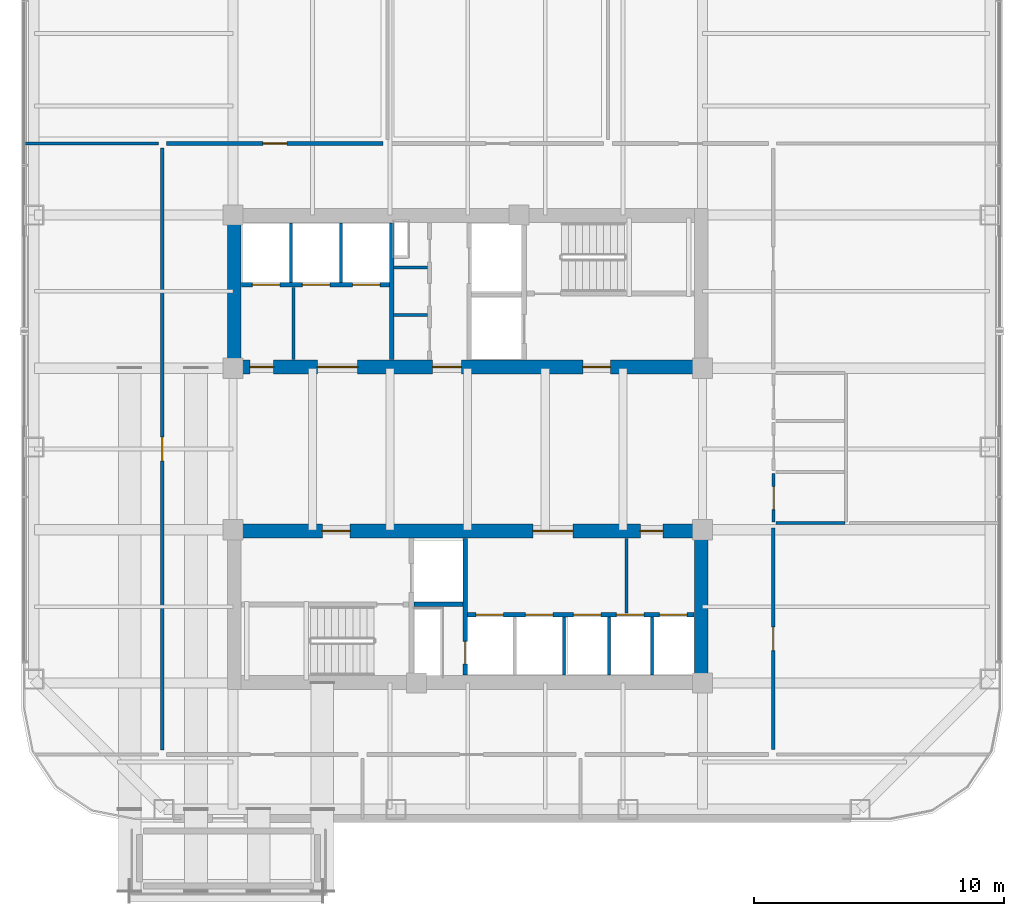
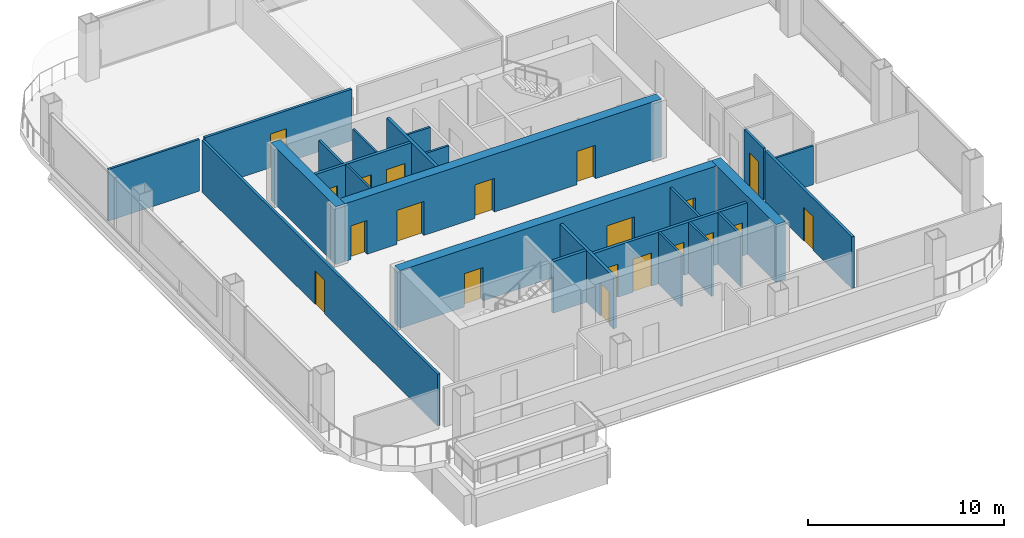
# One storey, part 16 of 20: 24 walls, 20 doors, 20 openings.
"""IFC4 building model written with IfcOpenShell, lengths in metres."""

from ifc_helpers import new_model, si_unit, direction, frame, frame_2d, origin, place, context, subcontext, project, spatial, rectangle, extrude, material, layer, layer_set, type_object, element, fill, save


model = new_model("IFC4")

# Units and contexts
model_context = context("Model", 3, precision=1e-05, world=origin(), true_north=direction((0.0, 1.0)))
body_context = subcontext(model_context, "Body", "Model", "MODEL_VIEW")
ifc_project = project(units=[si_unit("LENGTHUNIT", "METRE"), si_unit("AREAUNIT", "SQUARE_METRE"), si_unit("VOLUMEUNIT", "CUBIC_METRE"), si_unit("PLANEANGLEUNIT", "RADIAN"), si_unit("MASSUNIT", "GRAM", prefix="KILO")], contexts=[model_context])

# Site, building, storey
site_placement = place(None, origin())
site = spatial("IfcSite", under=ifc_project, at=site_placement, CompositionType="ELEMENT")
building_placement = place(site_placement, origin())
building = spatial("IfcBuilding", under=site, at=building_placement, Name="Qhalaya Broadcast Tower", CompositionType="ELEMENT")
storey_placement = place(building_placement, frame((0.0, 0.0, 104.85009765625)))
storey = spatial("IfcBuildingStorey", under=building, at=storey_placement, Name="L30", CompositionType="ELEMENT", Elevation=104.85009765625)

# Wall, opening, door
ifc_material_1 = material(Name="Gypsum Acoustic Partition")
ifc_layer_1 = layer(ifc_material_1, 0.14990234375, Name="Gypsum Acoustic Partition")
ifc_layer_set_1 = layer_set([ifc_layer_1], Name="Gypsum Acoustic Partition")
wall_type_1 = type_object("IfcWallType", Name="Corridor & Tenancy Acoustic Partition 150", PredefinedType="PARTITIONING", material=ifc_layer_set_1)
wall_1_placement = place(storey_placement, frame((-12.02001953125, 12.800048828125, 0.0), z_axis=(0.0, 0.0, 1.0), x_axis=(1.0, 0.0, 0.0)))
wall_1 = element("IfcWall", 1, at=wall_1_placement, inside=storey, type_object=wall_type_1, Name="L30 Partition Wall W-COR-01", PredefinedType="PARTITIONING", context=body_context, shape_type="SweptSolid", body=[
    extrude(rectangle(XDim=8.64013671875, YDim=0.14990234375, at=frame_2d((4.320068359375, 0.0))), origin(), (0.0, 0.0, 1.0), 3.219970703125),
])
opening_1_placement = place(wall_1_placement, frame((3.844970703125, 0.0, 0.0)))
opening_1 = element("IfcOpeningElement", 2, at=opening_1_placement, cuts=wall_1, Name="Opening D10", PredefinedType="OPENING", context=body_context, shape_type="SweptSolid", body=[
    extrude(rectangle(XDim=0.949951171875, YDim=2.10009765625, at=frame_2d((0.47509765625, 1.050048828125))), frame((0.0, 0.0869140625, 0.0), z_axis=(0.0, -1.0, 0.0), x_axis=(1.0, 0.0, 0.0)), (0.0, 0.0, 1.0), 0.173828125),
])
ifc_material_2 = material(Name="Timber Veneer Acoustic Door", Category="wood")
door_type_1 = type_object("IfcDoorType", Name="Cellular Office & Edit Booth Door D10", OperationType="NOTDEFINED", PredefinedType="DOOR", material=ifc_material_2)
door_1_placement = place(opening_1_placement, origin())
door_1 = element("IfcDoor", 3, at=door_1_placement, inside=storey, type_object=door_type_1, Name="L30 Door D-RM01", OperationType="SINGLE_SWING_RIGHT", OverallHeight=2.10009765625, OverallWidth=0.949951171875, PredefinedType="DOOR", context=body_context, shape_type="SweptSolid", body=[
    extrude(rectangle(XDim=0.949951171875, YDim=2.10009765625, at=frame_2d((0.47509765625, 1.050048828125))), frame((0.0, 0.02490234375, 0.0), z_axis=(0.0, -1.0, 0.0), x_axis=(1.0, 0.0, 0.0)), (0.0, 0.0, 1.0), 0.050048828125),
])
fill(opening_1, door_1)

wall_2_placement = place(storey_placement, frame((-12.199951171875, -11.419921875, 0.0), z_axis=(0.0, 0.0, 1.0), x_axis=(0.0, 1.0, 0.0)))
wall_2 = element("IfcWall", 4, at=wall_2_placement, inside=storey, type_object=wall_type_1, Name="L30 Partition Wall W-COR-07", PredefinedType="PARTITIONING", context=body_context, shape_type="SweptSolid", body=[
    extrude(rectangle(XDim=24.0400390625, YDim=0.14990234375, at=frame_2d((12.02001953125, 0.0))), origin(), (0.0, 0.0, 1.0), 3.219970703125),
])
opening_2_placement = place(wall_2_placement, frame((11.544921875, 0.0, 0.0)))
opening_2 = element("IfcOpeningElement", 5, at=opening_2_placement, cuts=wall_2, Name="Opening D10", PredefinedType="OPENING", context=body_context, shape_type="SweptSolid", body=[
    extrude(rectangle(XDim=0.949951171875, YDim=2.10009765625, at=frame_2d((0.47509765625, 1.050048828125))), frame((0.0, 0.0869140625, 0.0), z_axis=(0.0, -1.0, 0.0), x_axis=(1.0, 0.0, 0.0)), (0.0, 0.0, 1.0), 0.173828125),
])
door_2_placement = place(opening_2_placement, origin())
door_2 = element("IfcDoor", 6, at=door_2_placement, inside=storey, type_object=door_type_1, Name="L30 Door D-RM07", OperationType="SINGLE_SWING_RIGHT", OverallHeight=2.10009765625, OverallWidth=0.949951171875, PredefinedType="DOOR", context=body_context, shape_type="SweptSolid", body=[
    extrude(rectangle(XDim=0.949951171875, YDim=2.10009765625, at=frame_2d((0.47509765625, 1.050048828125))), frame((0.0, 0.02490234375, 0.0), z_axis=(0.0, -1.0, 0.0), x_axis=(1.0, 0.0, 0.0)), (0.0, 0.0, 1.0), 0.050048828125),
])
fill(opening_2, door_2)

wall_3_placement = place(storey_placement, frame((12.199951171875, -11.39990234375, 0.0), z_axis=(0.0, 0.0, 1.0), x_axis=(0.0, 1.0, 0.0)))
wall_3 = element("IfcWall", 7, at=wall_3_placement, inside=storey, type_object=wall_type_1, Name="L30 Partition Wall W-COR-08", PredefinedType="PARTITIONING", context=body_context, shape_type="SweptSolid", body=[
    extrude(rectangle(XDim=8.83984375, YDim=0.14990234375, at=frame_2d((4.419921875, 0.0))), origin(), (0.0, 0.0, 1.0), 3.219970703125),
])
opening_3_placement = place(wall_3_placement, frame((3.945068359375, 0.0, 0.0)))
opening_3 = element("IfcOpeningElement", 8, at=opening_3_placement, cuts=wall_3, Name="Opening D10", PredefinedType="OPENING", context=body_context, shape_type="SweptSolid", body=[
    extrude(rectangle(XDim=0.949951171875, YDim=2.10009765625, at=frame_2d((0.47509765625, 1.050048828125))), frame((0.0, 0.0869140625, 0.0), z_axis=(0.0, -1.0, 0.0), x_axis=(1.0, 0.0, 0.0)), (0.0, 0.0, 1.0), 0.173828125),
])
door_3_placement = place(opening_3_placement, origin())
door_3 = element("IfcDoor", 9, at=door_3_placement, inside=storey, type_object=door_type_1, Name="L30 Door D-RM08", OperationType="SINGLE_SWING_LEFT", OverallHeight=2.10009765625, OverallWidth=0.949951171875, PredefinedType="DOOR", context=body_context, shape_type="SweptSolid", body=[
    extrude(rectangle(XDim=0.949951171875, YDim=2.10009765625, at=frame_2d((0.47509765625, 1.050048828125))), frame((0.0, 0.02490234375, 0.0), z_axis=(0.0, -1.0, 0.0), x_axis=(1.0, 0.0, 0.0)), (0.0, 0.0, 1.0), 0.050048828125),
])
fill(opening_3, door_3)

# Wall, openings, doors
ifc_material_3 = material(Name="Concrete C60/75", Category="concrete")
ifc_layer_2 = layer(ifc_material_3, 0.550048828125, Name="Concrete C60/75")
ifc_layer_set_2 = layer_set([ifc_layer_2], Name="Concrete C60/75")
wall_type_2 = type_object("IfcWallType", Name="Lower Split-Core Shear Wall 550", PredefinedType="SHEAR", material=ifc_layer_set_2)
wall_4_placement = place(storey_placement, frame((-9.60009765625, 3.875, 0.0), z_axis=(0.0, 0.0, 1.0), x_axis=(1.0, 0.0, 0.0)))
wall_4 = element("IfcWall", 10, at=wall_4_placement, inside=storey, type_object=wall_type_2, Name="L30 Split-Core Shear Wall CW-NS", PredefinedType="SHEAR", context=body_context, shape_type="SweptSolid", body=[
    extrude(rectangle(XDim=19.2001953125, YDim=0.550048828125, at=frame_2d((9.60009765625, 0.0))), origin(), (0.0, 0.0, 1.0), 3.599853515625),
])
opening_4_placement = place(wall_4_placement, frame((14.199951171875, 0.0, 0.0)))
opening_4 = element("IfcOpeningElement", 11, at=opening_4_placement, cuts=wall_4, Name="Opening D04", PredefinedType="OPENING", context=body_context, shape_type="SweptSolid", body=[
    extrude(rectangle(XDim=1.10009765625, YDim=2.080078125, at=frame_2d((0.550048828125, 1.0400390625))), frame((0.0, 0.287109375, 0.0), z_axis=(0.0, -1.0, 0.0), x_axis=(1.0, 0.0, 0.0)), (0.0, 0.0, 1.0), 0.573974609375),
])
opening_5_placement = place(wall_4_placement, frame((8.199951171875, 0.0, 0.0)))
opening_5 = element("IfcOpeningElement", 12, at=opening_5_placement, cuts=wall_4, Name="Opening D05", PredefinedType="OPENING", context=body_context, shape_type="SweptSolid", body=[
    extrude(rectangle(XDim=1.14990234375, YDim=2.10009765625, at=frame_2d((0.574951171875, 1.050048828125))), frame((0.0, 0.287109375, 0.0), z_axis=(0.0, -1.0, 0.0), x_axis=(1.0, 0.0, 0.0)), (0.0, 0.0, 1.0), 0.573974609375),
])
opening_6_placement = place(wall_4_placement, frame((0.89990234375, 0.0, 0.0)))
opening_6 = element("IfcOpeningElement", 13, at=opening_6_placement, cuts=wall_4, Name="Opening D10", PredefinedType="OPENING", context=body_context, shape_type="SweptSolid", body=[
    extrude(rectangle(XDim=0.949951171875, YDim=2.10009765625, at=frame_2d((0.47509765625, 1.050048828125))), frame((0.0, 0.287109375, 0.0), z_axis=(0.0, -1.0, 0.0), x_axis=(1.0, 0.0, 0.0)), (0.0, 0.0, 1.0), 0.573974609375),
])
opening_7_placement = place(wall_4_placement, frame((3.60009765625, 0.0, 0.0)))
opening_7 = element("IfcOpeningElement", 14, at=opening_7_placement, cuts=wall_4, Name="Opening D07", PredefinedType="OPENING", context=body_context, shape_type="SweptSolid", body=[
    extrude(rectangle(XDim=1.60009765625, YDim=2.1201171875, at=frame_2d((0.800048828125, 1.06005859375))), frame((0.0, 0.287109375, 0.0), z_axis=(0.0, -1.0, 0.0), x_axis=(1.0, 0.0, 0.0)), (0.0, 0.0, 1.0), 0.573974609375),
])
door_4_placement = place(opening_6_placement, origin())
door_4 = element("IfcDoor", 15, at=door_4_placement, inside=storey, type_object=door_type_1, Name="L30 Door D-NLPNT", OperationType="SINGLE_SWING_RIGHT", OverallHeight=2.10009765625, OverallWidth=0.949951171875, PredefinedType="DOOR", context=body_context, shape_type="SweptSolid", body=[
    extrude(rectangle(XDim=0.949951171875, YDim=2.10009765625, at=frame_2d((0.47509765625, 1.050048828125))), frame((0.0, 0.02490234375, 0.0), z_axis=(0.0, -1.0, 0.0), x_axis=(1.0, 0.0, 0.0)), (0.0, 0.0, 1.0), 0.050048828125),
])
fill(opening_6, door_4)
ifc_material_4 = material(Name="Fire-Rated Steel Door", Category="steel")
door_type_2 = type_object("IfcDoorType", Name="Firefighting Lobby Rated Door D04", OperationType="NOTDEFINED", PredefinedType="DOOR", material=ifc_material_4)
door_5_placement = place(opening_4_placement, origin())
door_5 = element("IfcDoor", 16, at=door_5_placement, inside=storey, type_object=door_type_2, Name="L30 Door D-NFF", OperationType="SINGLE_SWING_RIGHT", OverallHeight=2.080078125, OverallWidth=1.10009765625, PredefinedType="DOOR", context=body_context, shape_type="SweptSolid", body=[
    extrude(rectangle(XDim=1.10009765625, YDim=2.080078125, at=frame_2d((0.550048828125, 1.0400390625))), frame((0.0, 0.02490234375, 0.0), z_axis=(0.0, -1.0, 0.0), x_axis=(1.0, 0.0, 0.0)), (0.0, 0.0, 1.0), 0.050048828125),
])
fill(opening_4, door_5)
ifc_material_5 = material(Name="Anodised Aluminium Glazed Door", Category="aluminium")
door_type_3 = type_object("IfcDoorType", Name="Passenger Lift Lobby Double Glazed Door D07", OperationType="DOUBLE_DOOR_SINGLE_SWING", PredefinedType="DOOR", material=ifc_material_5)
door_6_placement = place(opening_7_placement, origin())
door_6 = element("IfcDoor", 17, at=door_6_placement, inside=storey, type_object=door_type_3, Name="L30 Door D-NPLL", OperationType="DOUBLE_DOOR_SINGLE_SWING", OverallHeight=2.1201171875, OverallWidth=1.60009765625, PredefinedType="DOOR", context=body_context, shape_type="SweptSolid", body=[
    extrude(rectangle(XDim=1.60009765625, YDim=2.1201171875, at=frame_2d((0.800048828125, 1.06005859375))), frame((0.0, 0.02490234375, 0.0), z_axis=(0.0, -1.0, 0.0), x_axis=(1.0, 0.0, 0.0)), (0.0, 0.0, 1.0), 0.050048828125),
])
fill(opening_7, door_6)
door_type_4 = type_object("IfcDoorType", Name="Refuge & Plant Room Fire Door D05", OperationType="NOTDEFINED", PredefinedType="DOOR", material=ifc_material_4)
door_7_placement = place(opening_5_placement, origin())
door_7 = element("IfcDoor", 18, at=door_7_placement, inside=storey, type_object=door_type_4, Name="L30 Door D-NSVL", OperationType="SINGLE_SWING_LEFT", OverallHeight=2.10009765625, OverallWidth=1.14990234375, PredefinedType="DOOR", context=body_context, shape_type="SweptSolid", body=[
    extrude(rectangle(XDim=1.14990234375, YDim=2.10009765625, at=frame_2d((0.574951171875, 1.050048828125))), frame((0.0, 0.02490234375, 0.0), z_axis=(0.0, -1.0, 0.0), x_axis=(1.0, 0.0, 0.0)), (0.0, 0.0, 1.0), 0.050048828125),
])
fill(opening_5, door_7)

# Wall
wall_5_placement = place(storey_placement, frame((-9.324951171875, 3.60009765625, 0.0), z_axis=(0.0, 0.0, 1.0), x_axis=(0.0, 1.0, 0.0)))
element("IfcWall", 19, at=wall_5_placement, inside=storey, type_object=wall_type_2, Name="L30 Split-Core Shear Wall CW-NW", PredefinedType="SHEAR", context=body_context, shape_type="SweptSolid", body=[
    extrude(rectangle(XDim=6.599853515625, YDim=0.550048828125, at=frame_2d((3.2998046875, 0.0))), origin(), (0.0, 0.0, 1.0), 3.599853515625),
])

# Wall, openings, doors
wall_6_placement = place(storey_placement, frame((-9.60009765625, -2.675048828125, 0.0), z_axis=(0.0, 0.0, 1.0), x_axis=(1.0, 0.0, 0.0)))
wall_6 = element("IfcWall", 20, at=wall_6_placement, inside=storey, type_object=wall_type_2, Name="L30 Split-Core Shear Wall CW-SN", PredefinedType="SHEAR", context=body_context, shape_type="SweptSolid", body=[
    extrude(rectangle(XDim=19.2001953125, YDim=0.550048828125, at=frame_2d((9.60009765625, 0.0))), origin(), (0.0, 0.0, 1.0), 3.599853515625),
])
opening_8_placement = place(wall_6_placement, frame((3.800048828125, 0.0, 0.0)))
opening_8 = element("IfcOpeningElement", 21, at=opening_8_placement, cuts=wall_6, Name="Opening D04", PredefinedType="OPENING", context=body_context, shape_type="SweptSolid", body=[
    extrude(rectangle(XDim=1.10009765625, YDim=2.080078125, at=frame_2d((0.550048828125, 1.0400390625))), frame((0.0, 0.287109375, 0.0), z_axis=(0.0, -1.0, 0.0), x_axis=(1.0, 0.0, 0.0)), (0.0, 0.0, 1.0), 0.573974609375),
])
opening_9_placement = place(wall_6_placement, frame((12.199951171875, 0.0, 0.0)))
opening_9 = element("IfcOpeningElement", 22, at=opening_9_placement, cuts=wall_6, Name="Opening D07", PredefinedType="OPENING", context=body_context, shape_type="SweptSolid", body=[
    extrude(rectangle(XDim=1.60009765625, YDim=2.1201171875, at=frame_2d((0.800048828125, 1.06005859375))), frame((0.0, 0.287109375, 0.0), z_axis=(0.0, -1.0, 0.0), x_axis=(1.0, 0.0, 0.0)), (0.0, 0.0, 1.0), 0.573974609375),
])
opening_10_placement = place(wall_6_placement, frame((16.5, 0.0, 0.0)))
opening_10 = element("IfcOpeningElement", 23, at=opening_10_placement, cuts=wall_6, Name="Opening D06", PredefinedType="OPENING", context=body_context, shape_type="SweptSolid", body=[
    extrude(rectangle(XDim=0.89990234375, YDim=2.050048828125, at=frame_2d((0.449951171875, 1.02490234375))), frame((0.0, 0.287109375, 0.0), z_axis=(0.0, -1.0, 0.0), x_axis=(1.0, 0.0, 0.0)), (0.0, 0.0, 1.0), 0.573974609375),
])
door_8_placement = place(opening_8_placement, origin())
door_8 = element("IfcDoor", 24, at=door_8_placement, inside=storey, type_object=door_type_2, Name="L30 Door D-SFF", OperationType="SINGLE_SWING_LEFT", OverallHeight=2.080078125, OverallWidth=1.10009765625, PredefinedType="DOOR", context=body_context, shape_type="SweptSolid", body=[
    extrude(rectangle(XDim=1.10009765625, YDim=2.080078125, at=frame_2d((0.550048828125, 1.0400390625))), frame((0.0, 0.02490234375, 0.0), z_axis=(0.0, -1.0, 0.0), x_axis=(1.0, 0.0, 0.0)), (0.0, 0.0, 1.0), 0.050048828125),
])
fill(opening_8, door_8)
door_9_placement = place(opening_9_placement, origin())
door_9 = element("IfcDoor", 25, at=door_9_placement, inside=storey, type_object=door_type_3, Name="L30 Door D-SPLL", OperationType="DOUBLE_DOOR_SINGLE_SWING", OverallHeight=2.1201171875, OverallWidth=1.60009765625, PredefinedType="DOOR", context=body_context, shape_type="SweptSolid", body=[
    extrude(rectangle(XDim=1.60009765625, YDim=2.1201171875, at=frame_2d((0.800048828125, 1.06005859375))), frame((0.0, 0.02490234375, 0.0), z_axis=(0.0, -1.0, 0.0), x_axis=(1.0, 0.0, 0.0)), (0.0, 0.0, 1.0), 0.050048828125),
])
fill(opening_9, door_9)
door_type_5 = type_object("IfcDoorType", Name="Riser & Electrical Shaft Access Door D06", OperationType="NOTDEFINED", PredefinedType="DOOR", material=ifc_material_4)
door_10_placement = place(opening_10_placement, origin())
door_10 = element("IfcDoor", 26, at=door_10_placement, inside=storey, type_object=door_type_5, Name="L30 Door D-SSCST", OperationType="SINGLE_SWING_LEFT", OverallHeight=2.050048828125, OverallWidth=0.89990234375, PredefinedType="DOOR", context=body_context, shape_type="SweptSolid", body=[
    extrude(rectangle(XDim=0.89990234375, YDim=2.050048828125, at=frame_2d((0.449951171875, 1.02490234375))), frame((0.0, 0.02490234375, 0.0), z_axis=(0.0, -1.0, 0.0), x_axis=(1.0, 0.0, 0.0)), (0.0, 0.0, 1.0), 0.050048828125),
])
fill(opening_10, door_10)

# Walls
wall_7_placement = place(storey_placement, frame((9.324951171875, -9.0, 0.0), z_axis=(0.0, 0.0, 1.0), x_axis=(0.0, 1.0, 0.0)))
element("IfcWall", 27, at=wall_7_placement, inside=storey, type_object=wall_type_2, Name="L30 Split-Core Shear Wall CW-SE", PredefinedType="SHEAR", context=body_context, shape_type="SweptSolid", body=[
    extrude(rectangle(XDim=6.60009765625, YDim=0.550048828125, at=frame_2d((3.300048828125, 0.0))), origin(), (0.0, 0.0, 1.0), 3.599853515625),
])
ifc_layer_3 = layer(ifc_material_1, 0.1201171875, Name="Gypsum Acoustic Partition")
ifc_layer_set_3 = layer_set([ifc_layer_3], Name="Gypsum Acoustic Partition")
wall_type_3 = type_object("IfcWallType", Name="Office, Booth & Sanitary Partition 120", PredefinedType="PARTITIONING", material=ifc_layer_set_3)
for number, where, z_axis, x_axis, name in (
    (28, (-2.9599609375, 5.949951171875, 0.0), (0.0, 0.0, 1.0), (1.0, 0.0, 0.0), "L30 Partition Wall NCW-VB1"),
    (29, (-2.9599609375, 7.85009765625, 0.0), (0.0, 0.0, 1.0), (1.0, 0.0, 0.0), "L30 Partition Wall NCW-VB2"),
):
    element("IfcWall", number, at=place(storey_placement, frame(where, z_axis=z_axis, x_axis=x_axis)), inside=storey, type_object=wall_type_3, Name=name, PredefinedType="PARTITIONING", context=body_context, shape_type="SweptSolid", body=[
        extrude(rectangle(XDim=1.35986328125, YDim=0.1201171875, at=frame_2d((0.679931640625, 0.0))), origin(), (0.0, 0.0, 1.0), 3.219970703125),
    ])
for number, where, z_axis, x_axis, name in (
    (30, (-7.06005859375, 7.25, 0.0), (0.0, 0.0, 1.0), (0.0, 1.0, 0.0), "L30 Partition Wall NCW-PD1"),
    (31, (-5.06005859375, 7.25, 0.0), (0.0, 0.0, 1.0), (0.0, 1.0, 0.0), "L30 Partition Wall NCW-PD2"),
):
    element("IfcWall", number, at=place(storey_placement, frame(where, z_axis=z_axis, x_axis=x_axis)), inside=storey, type_object=wall_type_3, Name=name, PredefinedType="PARTITIONING", context=body_context, shape_type="SweptSolid", body=[
        extrude(rectangle(XDim=2.3798828125, YDim=0.1201171875, at=frame_2d((1.18994140625, 0.0))), origin(), (0.0, 0.0, 1.0), 3.219970703125),
    ])
wall_8_placement = place(storey_placement, frame((-6.949951171875, 4.169921875, 0.0), z_axis=(0.0, 0.0, 1.0), x_axis=(0.0, 1.0, 0.0)))
element("IfcWall", 32, at=wall_8_placement, inside=storey, type_object=wall_type_3, Name="L30 Partition Wall NCW-LKB", PredefinedType="PARTITIONING", context=body_context, shape_type="SweptSolid", body=[
    extrude(rectangle(XDim=2.89013671875, YDim=0.1201171875, at=frame_2d((1.445068359375, 0.0))), origin(), (0.0, 0.0, 1.0), 3.219970703125),
])
for number, where, z_axis, x_axis, name in (
    (33, (3.85009765625, -8.429931640625, 0.0), (0.0, 0.0, 1.0), (0.0, 1.0, 0.0), "L30 Partition Wall SCW-MD5"),
    (34, (5.639892578125, -8.429931640625, 0.0), (0.0, 0.0, 1.0), (0.0, 1.0, 0.0), "L30 Partition Wall SCW-HD6"),
    (35, (7.360107421875, -8.429931640625, 0.0), (0.0, 0.0, 1.0), (0.0, 1.0, 0.0), "L30 Partition Wall SCW-HD7"),
):
    element("IfcWall", number, at=place(storey_placement, frame(where, z_axis=z_axis, x_axis=x_axis)), inside=storey, type_object=wall_type_3, Name=name, PredefinedType="PARTITIONING", context=body_context, shape_type="SweptSolid", body=[
        extrude(rectangle(XDim=2.329833984375, YDim=0.1201171875, at=frame_2d((1.1650390625, 0.0))), origin(), (0.0, 0.0, 1.0), 3.219970703125),
    ])
wall_9_placement = place(storey_placement, frame((6.35009765625, -5.93994140625, 0.0), z_axis=(0.0, 0.0, 1.0), x_axis=(0.0, 1.0, 0.0)))
element("IfcWall", 36, at=wall_9_placement, inside=storey, type_object=wall_type_3, Name="L30 Partition Wall SCW-LKB", PredefinedType="PARTITIONING", context=body_context, shape_type="SweptSolid", body=[
    extrude(rectangle(XDim=2.969970703125, YDim=0.1201171875, at=frame_2d((1.48486328125, 0.0))), origin(), (0.0, 0.0, 1.0), 3.219970703125),
])

# Wall, opening, door
wall_10_placement = place(storey_placement, frame((12.219970703125, -2.320068359375, 0.0), z_axis=(0.0, 0.0, 1.0), x_axis=(0.0, 1.0, 0.0)))
wall_10 = element("IfcWall", 37, at=wall_10_placement, inside=storey, type_object=wall_type_3, Name="L30 Partition Wall W-WCWA", PredefinedType="PARTITIONING", context=body_context, shape_type="SweptSolid", body=[
    extrude(rectangle(XDim=1.940185546875, YDim=0.1201171875, at=frame_2d((0.97021484375, 0.0))), origin(), (0.0, 0.0, 1.0), 3.219970703125),
])
opening_11_placement = place(wall_10_placement, frame((0.4951171875, 0.0, 0.0)))
opening_11 = element("IfcOpeningElement", 38, at=opening_11_placement, cuts=wall_10, Name="Opening D12", PredefinedType="OPENING", context=body_context, shape_type="SweptSolid", body=[
    extrude(rectangle(XDim=0.919921875, YDim=2.10009765625, at=frame_2d((0.4599609375, 1.050048828125))), frame((0.0, 0.072021484375, 0.0), z_axis=(0.0, -1.0, 0.0), x_axis=(1.0, 0.0, 0.0)), (0.0, 0.0, 1.0), 0.14404296875),
])
door_type_6 = type_object("IfcDoorType", Name="Accessible WC & Restroom Door D12", OperationType="NOTDEFINED", PredefinedType="DOOR", material=ifc_material_2)
door_11_placement = place(opening_11_placement, origin())
door_11 = element("IfcDoor", 39, at=door_11_placement, inside=storey, type_object=door_type_6, Name="L30 Door D-WCA", OperationType="SINGLE_SWING_LEFT", OverallHeight=2.10009765625, OverallWidth=0.919921875, PredefinedType="DOOR", context=body_context, shape_type="SweptSolid", body=[
    extrude(rectangle(XDim=0.919921875, YDim=2.10009765625, at=frame_2d((0.4599609375, 1.050048828125))), frame((0.0, 0.02490234375, 0.0), z_axis=(0.0, -1.0, 0.0), x_axis=(1.0, 0.0, 0.0)), (0.0, 0.0, 1.0), 0.050048828125),
])
fill(opening_11, door_11)

# Walls
wall_11_placement = place(storey_placement, frame((12.31005859375, -2.35009765625, 0.0), z_axis=(0.0, 0.0, 1.0), x_axis=(1.0, 0.0, 0.0)))
element("IfcWall", 40, at=wall_11_placement, inside=storey, type_object=wall_type_3, Name="L30 Partition Wall W-WCS", PredefinedType="PARTITIONING", context=body_context, shape_type="SweptSolid", body=[
    extrude(rectangle(XDim=2.760009765625, YDim=0.1201171875, at=frame_2d((1.3798828125, 0.0))), origin(), (0.0, 0.0, 1.0), 2.419921875),
])
wall_12_placement = place(storey_placement, frame((-17.7099609375, 12.800048828125, 0.0), z_axis=(0.0, 0.0, 1.0), x_axis=(1.0, 0.0, 0.0)))
element("IfcWall", 41, at=wall_12_placement, inside=storey, type_object=wall_type_3, Name="L30 Partition Wall W-BNDW1", PredefinedType="PARTITIONING", context=body_context, shape_type="SweptSolid", body=[
    extrude(rectangle(XDim=5.369873046875, YDim=0.1201171875, at=frame_2d((2.68505859375, 0.0))), origin(), (0.0, 0.0, 1.0), 3.219970703125),
])
ifc_layer_4 = layer(ifc_material_1, 0.175048828125, Name="Gypsum Acoustic Partition")
ifc_layer_set_4 = layer_set([ifc_layer_4], Name="Gypsum Acoustic Partition")
wall_type_4 = type_object("IfcWallType", Name="Shaft & Riser Fire Partition 175", PredefinedType="PARTITIONING", material=ifc_layer_set_4)
wall_13_placement = place(storey_placement, frame((-3.0400390625, 4.169921875, 0.0), z_axis=(0.0, 0.0, 1.0), x_axis=(0.0, 1.0, 0.0)))
element("IfcWall", 42, at=wall_13_placement, inside=storey, type_object=wall_type_4, Name="L30 Partition Wall NCW-VRW", PredefinedType="PARTITIONING", context=body_context, shape_type="SweptSolid", body=[
    extrude(rectangle(XDim=5.4599609375, YDim=0.175048828125, at=frame_2d((2.72998046875, 0.0))), origin(), (0.0, 0.0, 1.0), 3.219970703125),
])

# Wall, openings, doors
wall_14_placement = place(storey_placement, frame((-9.030029296875, 7.159912109375, 0.0), z_axis=(0.0, 0.0, 1.0), x_axis=(1.0, 0.0, 0.0)))
wall_14 = element("IfcWall", 43, at=wall_14_placement, inside=storey, type_object=wall_type_4, Name="L30 Partition Wall NCW-PLB", PredefinedType="PARTITIONING", context=body_context, shape_type="SweptSolid", body=[
    extrude(rectangle(XDim=5.909912109375, YDim=0.175048828125, at=frame_2d((2.955078125, 0.0))), origin(), (0.0, 0.0, 1.0), 3.219970703125),
])
opening_12_placement = place(wall_14_placement, frame((0.429931640625, 0.0, 0.0)))
opening_12 = element("IfcOpeningElement", 44, at=opening_12_placement, cuts=wall_14, Name="Opening LD1", PredefinedType="OPENING", context=body_context, shape_type="SweptSolid", body=[
    extrude(rectangle(XDim=1.10009765625, YDim=2.06005859375, at=frame_2d((0.550048828125, 1.030029296875))), frame((0.0, 0.099609375, 0.0), z_axis=(0.0, -1.0, 0.0), x_axis=(1.0, 0.0, 0.0)), (0.0, 0.0, 1.0), 0.198974609375),
])
opening_13_placement = place(wall_14_placement, frame((2.429931640625, 0.0, 0.0)))
opening_13 = element("IfcOpeningElement", 45, at=opening_13_placement, cuts=wall_14, Name="Opening LD1", PredefinedType="OPENING", context=body_context, shape_type="SweptSolid", body=[
    extrude(rectangle(XDim=1.10009765625, YDim=2.06005859375, at=frame_2d((0.550048828125, 1.030029296875))), frame((0.0, 0.099609375, 0.0), z_axis=(0.0, -1.0, 0.0), x_axis=(1.0, 0.0, 0.0)), (0.0, 0.0, 1.0), 0.198974609375),
])
opening_14_placement = place(wall_14_placement, frame((4.429931640625, 0.0, 0.0)))
opening_14 = element("IfcOpeningElement", 46, at=opening_14_placement, cuts=wall_14, Name="Opening LD1", PredefinedType="OPENING", context=body_context, shape_type="SweptSolid", body=[
    extrude(rectangle(XDim=1.10009765625, YDim=2.06005859375, at=frame_2d((0.550048828125, 1.030029296875))), frame((0.0, 0.099609375, 0.0), z_axis=(0.0, -1.0, 0.0), x_axis=(1.0, 0.0, 0.0)), (0.0, 0.0, 1.0), 0.198974609375),
])
ifc_material_6 = material(Name="Brushed Stainless Steel Lift Door", Category="steel")
door_type_7 = type_object("IfcDoorType", Name="Passenger Lift Sliding Landing Door LD1", OperationType="DOUBLE_DOOR_SLIDING", PredefinedType="DOOR", material=ifc_material_6)
door_12_placement = place(opening_12_placement, origin())
door_12 = element("IfcDoor", 47, at=door_12_placement, inside=storey, type_object=door_type_7, Name="L30 Door LD-P1", OperationType="DOUBLE_DOOR_SLIDING", OverallHeight=2.06005859375, OverallWidth=1.10009765625, PredefinedType="DOOR", context=body_context, shape_type="SweptSolid", body=[
    extrude(rectangle(XDim=1.10009765625, YDim=2.06005859375, at=frame_2d((0.550048828125, 1.030029296875))), frame((0.0, 0.02490234375, 0.0), z_axis=(0.0, -1.0, 0.0), x_axis=(1.0, 0.0, 0.0)), (0.0, 0.0, 1.0), 0.050048828125),
])
fill(opening_12, door_12)
door_13_placement = place(opening_13_placement, origin())
door_13 = element("IfcDoor", 48, at=door_13_placement, inside=storey, type_object=door_type_7, Name="L30 Door LD-P2", OperationType="DOUBLE_DOOR_SLIDING", OverallHeight=2.06005859375, OverallWidth=1.10009765625, PredefinedType="DOOR", context=body_context, shape_type="SweptSolid", body=[
    extrude(rectangle(XDim=1.10009765625, YDim=2.06005859375, at=frame_2d((0.550048828125, 1.030029296875))), frame((0.0, 0.02490234375, 0.0), z_axis=(0.0, -1.0, 0.0), x_axis=(1.0, 0.0, 0.0)), (0.0, 0.0, 1.0), 0.050048828125),
])
fill(opening_13, door_13)
door_14_placement = place(opening_14_placement, origin())
door_14 = element("IfcDoor", 49, at=door_14_placement, inside=storey, type_object=door_type_7, Name="L30 Door LD-P3", OperationType="DOUBLE_DOOR_SLIDING", OverallHeight=2.06005859375, OverallWidth=1.10009765625, PredefinedType="DOOR", context=body_context, shape_type="SweptSolid", body=[
    extrude(rectangle(XDim=1.10009765625, YDim=2.06005859375, at=frame_2d((0.550048828125, 1.030029296875))), frame((0.0, 0.02490234375, 0.0), z_axis=(0.0, -1.0, 0.0), x_axis=(1.0, 0.0, 0.0)), (0.0, 0.0, 1.0), 0.050048828125),
])
fill(opening_14, door_14)

# Wall, opening, door
wall_15_placement = place(storey_placement, frame((-0.10009765625, -8.429931640625, 0.0), z_axis=(0.0, 0.0, 1.0), x_axis=(0.0, 1.0, 0.0)))
wall_15 = element("IfcWall", 50, at=wall_15_placement, inside=storey, type_object=wall_type_4, Name="L30 Partition Wall SCW-FFE", PredefinedType="PARTITIONING", context=body_context, shape_type="SweptSolid", body=[
    extrude(rectangle(XDim=5.4599609375, YDim=0.175048828125, at=frame_2d((2.72998046875, 0.0))), origin(), (0.0, 0.0, 1.0), 3.219970703125),
])
opening_15_placement = place(wall_15_placement, frame((0.449951171875, 0.0, 0.0)))
opening_15 = element("IfcOpeningElement", 51, at=opening_15_placement, cuts=wall_15, Name="Opening D06", PredefinedType="OPENING", context=body_context, shape_type="SweptSolid", body=[
    extrude(rectangle(XDim=0.89990234375, YDim=2.050048828125, at=frame_2d((0.449951171875, 1.02490234375))), frame((0.0, 0.099609375, 0.0), z_axis=(0.0, -1.0, 0.0), x_axis=(1.0, 0.0, 0.0)), (0.0, 0.0, 1.0), 0.198974609375),
])
door_15_placement = place(opening_15_placement, origin())
door_15 = element("IfcDoor", 52, at=door_15_placement, inside=storey, type_object=door_type_5, Name="L30 Riser Shaft Access Door D-SRSR", OperationType="SINGLE_SWING_LEFT", OverallHeight=2.050048828125, OverallWidth=0.89990234375, PredefinedType="DOOR", context=body_context, shape_type="SweptSolid", body=[
    extrude(rectangle(XDim=0.89990234375, YDim=2.050048828125, at=frame_2d((0.449951171875, 1.02490234375))), frame((0.0, 0.02490234375, 0.0), z_axis=(0.0, -1.0, 0.0), x_axis=(1.0, 0.0, 0.0)), (0.0, 0.0, 1.0), 0.050048828125),
])
fill(opening_15, door_15)

# Wall
wall_16_placement = place(storey_placement, frame((-2.14990234375, -5.60009765625, 0.0), z_axis=(0.0, 0.0, 1.0), x_axis=(1.0, 0.0, 0.0)))
element("IfcWall", 53, at=wall_16_placement, inside=storey, type_object=wall_type_4, Name="L30 Partition Wall SCW-FFM", PredefinedType="PARTITIONING", context=body_context, shape_type="SweptSolid", body=[
    extrude(rectangle(XDim=1.969970703125, YDim=0.175048828125, at=frame_2d((0.98486328125, 0.0))), origin(), (0.0, 0.0, 1.0), 3.219970703125),
])

# Wall, openings, doors
wall_17_placement = place(storey_placement, frame((0.0, -6.02001953125, 0.0), z_axis=(0.0, 0.0, 1.0), x_axis=(1.0, 0.0, 0.0)))
wall_17 = element("IfcWall", 54, at=wall_17_placement, inside=storey, type_object=wall_type_4, Name="L30 Partition Wall SCW-SLB", PredefinedType="PARTITIONING", context=body_context, shape_type="SweptSolid", body=[
    extrude(rectangle(XDim=9.030029296875, YDim=0.175048828125, at=frame_2d((4.51513671875, 0.0))), origin(), (0.0, 0.0, 1.0), 3.219970703125),
])
opening_16_placement = place(wall_17_placement, frame((0.330078125, 0.0, 0.0)))
opening_16 = element("IfcOpeningElement", 55, at=opening_16_placement, cuts=wall_17, Name="Opening LD1", PredefinedType="OPENING", context=body_context, shape_type="SweptSolid", body=[
    extrude(rectangle(XDim=1.10009765625, YDim=2.06005859375, at=frame_2d((0.550048828125, 1.030029296875))), frame((0.0, 0.099609375, 0.0), z_axis=(0.0, -1.0, 0.0), x_axis=(1.0, 0.0, 0.0)), (0.0, 0.0, 1.0), 0.198974609375),
])
opening_17_placement = place(wall_17_placement, frame((2.300048828125, 0.0, 0.0)))
opening_17 = element("IfcOpeningElement", 56, at=opening_17_placement, cuts=wall_17, Name="Opening LD1", PredefinedType="OPENING", context=body_context, shape_type="SweptSolid", body=[
    extrude(rectangle(XDim=1.10009765625, YDim=2.06005859375, at=frame_2d((0.550048828125, 1.030029296875))), frame((0.0, 0.099609375, 0.0), z_axis=(0.0, -1.0, 0.0), x_axis=(1.0, 0.0, 0.0)), (0.0, 0.0, 1.0), 0.198974609375),
])
opening_18_placement = place(wall_17_placement, frame((4.219970703125, 0.0, 0.0)))
opening_18 = element("IfcOpeningElement", 57, at=opening_18_placement, cuts=wall_17, Name="Opening LD1", PredefinedType="OPENING", context=body_context, shape_type="SweptSolid", body=[
    extrude(rectangle(XDim=1.10009765625, YDim=2.06005859375, at=frame_2d((0.550048828125, 1.030029296875))), frame((0.0, 0.099609375, 0.0), z_axis=(0.0, -1.0, 0.0), x_axis=(1.0, 0.0, 0.0)), (0.0, 0.0, 1.0), 0.198974609375),
])
opening_19_placement = place(wall_17_placement, frame((5.93994140625, 0.0, 0.0)))
opening_19 = element("IfcOpeningElement", 58, at=opening_19_placement, cuts=wall_17, Name="Opening LD1", PredefinedType="OPENING", context=body_context, shape_type="SweptSolid", body=[
    extrude(rectangle(XDim=1.10009765625, YDim=2.06005859375, at=frame_2d((0.550048828125, 1.030029296875))), frame((0.0, 0.099609375, 0.0), z_axis=(0.0, -1.0, 0.0), x_axis=(1.0, 0.0, 0.0)), (0.0, 0.0, 1.0), 0.198974609375),
])
opening_20_placement = place(wall_17_placement, frame((7.659912109375, 0.0, 0.0)))
opening_20 = element("IfcOpeningElement", 59, at=opening_20_placement, cuts=wall_17, Name="Opening LD1", PredefinedType="OPENING", context=body_context, shape_type="SweptSolid", body=[
    extrude(rectangle(XDim=1.10009765625, YDim=2.06005859375, at=frame_2d((0.550048828125, 1.030029296875))), frame((0.0, 0.099609375, 0.0), z_axis=(0.0, -1.0, 0.0), x_axis=(1.0, 0.0, 0.0)), (0.0, 0.0, 1.0), 0.198974609375),
])
door_16_placement = place(opening_16_placement, origin())
door_16 = element("IfcDoor", 60, at=door_16_placement, inside=storey, type_object=door_type_7, Name="L30 Door LD-P4", OperationType="DOUBLE_DOOR_SLIDING", OverallHeight=2.06005859375, OverallWidth=1.10009765625, PredefinedType="DOOR", context=body_context, shape_type="SweptSolid", body=[
    extrude(rectangle(XDim=1.10009765625, YDim=2.06005859375, at=frame_2d((0.550048828125, 1.030029296875))), frame((0.0, 0.02490234375, 0.0), z_axis=(0.0, -1.0, 0.0), x_axis=(1.0, 0.0, 0.0)), (0.0, 0.0, 1.0), 0.050048828125),
])
fill(opening_16, door_16)
door_17_placement = place(opening_17_placement, origin())
door_17 = element("IfcDoor", 61, at=door_17_placement, inside=storey, type_object=door_type_7, Name="L30 Door LD-P5", OperationType="DOUBLE_DOOR_SLIDING", OverallHeight=2.06005859375, OverallWidth=1.10009765625, PredefinedType="DOOR", context=body_context, shape_type="SweptSolid", body=[
    extrude(rectangle(XDim=1.10009765625, YDim=2.06005859375, at=frame_2d((0.550048828125, 1.030029296875))), frame((0.0, 0.02490234375, 0.0), z_axis=(0.0, -1.0, 0.0), x_axis=(1.0, 0.0, 0.0)), (0.0, 0.0, 1.0), 0.050048828125),
])
fill(opening_17, door_17)
door_18_placement = place(opening_18_placement, origin())
door_18 = element("IfcDoor", 62, at=door_18_placement, inside=storey, type_object=door_type_7, Name="L30 Door LD-P6", OperationType="DOUBLE_DOOR_SLIDING", OverallHeight=2.06005859375, OverallWidth=1.10009765625, PredefinedType="DOOR", context=body_context, shape_type="SweptSolid", body=[
    extrude(rectangle(XDim=1.10009765625, YDim=2.06005859375, at=frame_2d((0.550048828125, 1.030029296875))), frame((0.0, 0.02490234375, 0.0), z_axis=(0.0, -1.0, 0.0), x_axis=(1.0, 0.0, 0.0)), (0.0, 0.0, 1.0), 0.050048828125),
])
fill(opening_18, door_18)
door_19_placement = place(opening_19_placement, origin())
door_19 = element("IfcDoor", 63, at=door_19_placement, inside=storey, type_object=door_type_7, Name="L30 Door LD-P7", OperationType="DOUBLE_DOOR_SLIDING", OverallHeight=2.06005859375, OverallWidth=1.10009765625, PredefinedType="DOOR", context=body_context, shape_type="SweptSolid", body=[
    extrude(rectangle(XDim=1.10009765625, YDim=2.06005859375, at=frame_2d((0.550048828125, 1.030029296875))), frame((0.0, 0.02490234375, 0.0), z_axis=(0.0, -1.0, 0.0), x_axis=(1.0, 0.0, 0.0)), (0.0, 0.0, 1.0), 0.050048828125),
])
fill(opening_19, door_19)
door_20_placement = place(opening_20_placement, origin())
door_20 = element("IfcDoor", 64, at=door_20_placement, inside=storey, type_object=door_type_7, Name="L30 Door LD-P8", OperationType="DOUBLE_DOOR_SLIDING", OverallHeight=2.06005859375, OverallWidth=1.10009765625, PredefinedType="DOOR", context=body_context, shape_type="SweptSolid", body=[
    extrude(rectangle(XDim=1.10009765625, YDim=2.06005859375, at=frame_2d((0.550048828125, 1.030029296875))), frame((0.0, 0.02490234375, 0.0), z_axis=(0.0, -1.0, 0.0), x_axis=(1.0, 0.0, 0.0)), (0.0, 0.0, 1.0), 0.050048828125),
])
fill(opening_20, door_20)

save(model, "model.ifc")
